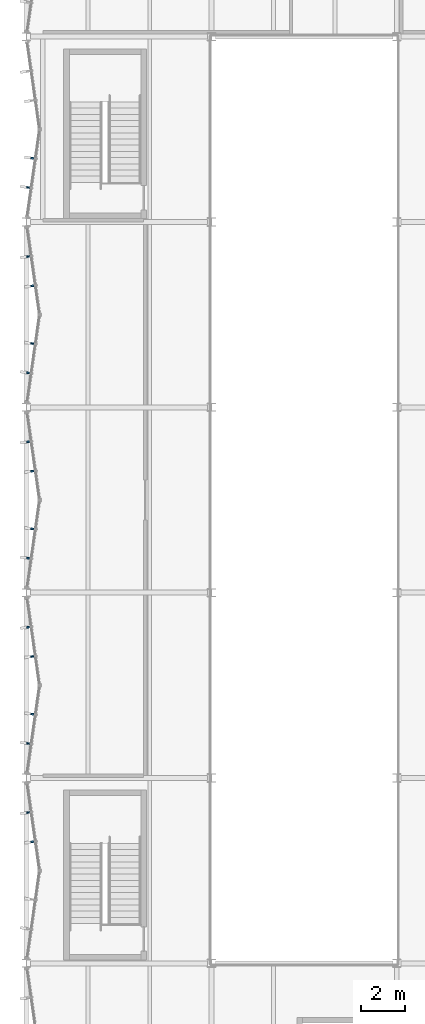
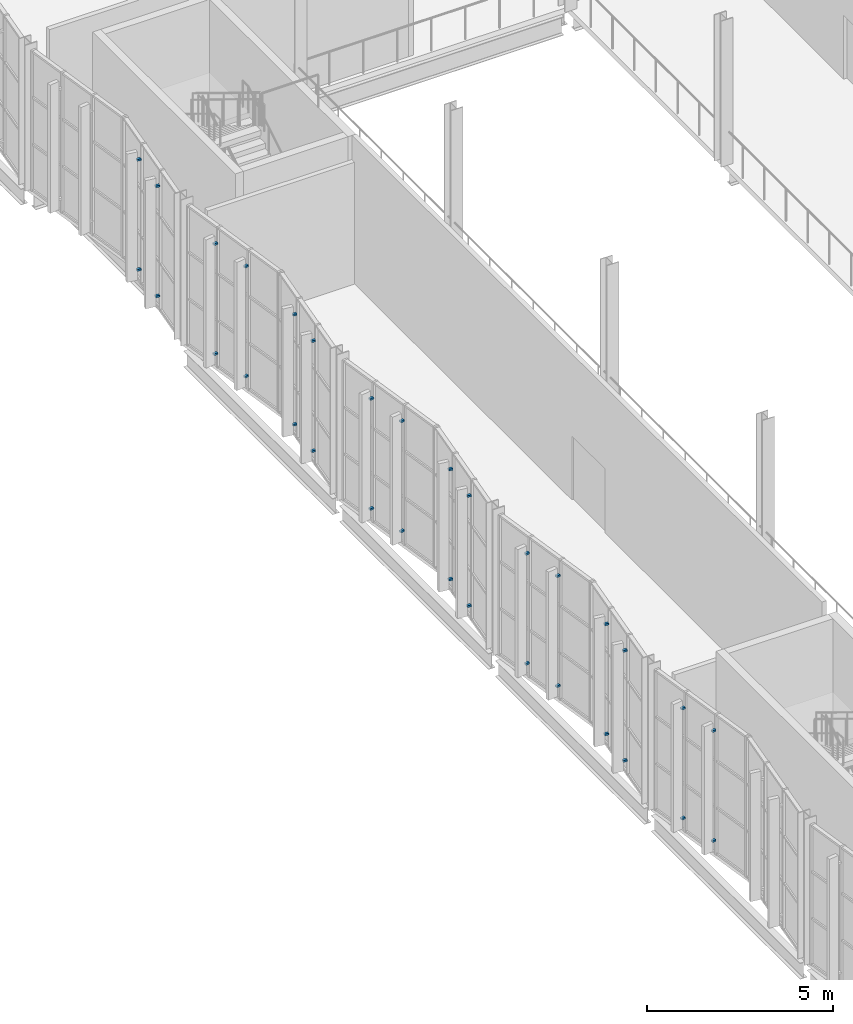
# One storey, part 96 of 127: 32 discrete accessories.
"""IFC4 building model written with IfcOpenShell, lengths in metres."""

from ifc_helpers import new_model, si_unit, direction, frame, origin, origin_2d, place, context, subcontext, project, spatial, rectangle, extrude, material, type_object, element, save


model = new_model("IFC4")

# Units and contexts
model_context = context("Model", 3, precision=1e-05, world=origin(), true_north=direction((0.0, 1.0)))
body_context = subcontext(model_context, "Body", "Model", "MODEL_VIEW")
ifc_project = project(units=[si_unit("LENGTHUNIT", "METRE"), si_unit("AREAUNIT", "SQUARE_METRE"), si_unit("VOLUMEUNIT", "CUBIC_METRE"), si_unit("PLANEANGLEUNIT", "RADIAN"), si_unit("MASSUNIT", "GRAM", prefix="KILO")], contexts=[model_context])

# Site, building, storey
site_placement = place(None, origin())
site = spatial("IfcSite", under=ifc_project, at=site_placement, CompositionType="ELEMENT")
building_placement = place(site_placement, origin())
building = spatial("IfcBuilding", under=site, at=building_placement, Name="Ljudholm Concert House", CompositionType="ELEMENT")
storey_placement = place(building_placement, frame((0.0, 0.0, 5.39990234375)))
storey = spatial("IfcBuildingStorey", under=building, at=storey_placement, Name="L01", CompositionType="ELEMENT", Elevation=5.39990234375)

# Discrete accessories
ifc_material = material(Name="Stainless steel bracket", Category="steel")
discrete_accessory_type = type_object("IfcDiscreteAccessoryType", Name="BRACKET 120", PredefinedType="BRACKET", material=ifc_material)
for number, where, z_axis, x_axis, name in (
    (1, (4.271728515625, 68.3076171875, 0.469970703125), (0.0, 0.0, 1.0), (-0.989949493662, -0.141421356235, 0.0), "Fin bracket"),
    (2, (4.271728515625, 68.3076171875, 4.090087890625), (0.0, 0.0, 1.0), (-0.989949493662, -0.141421356235, 0.0), "Fin bracket"),
    (3, (4.08203125, 69.635009765625, 0.469970703125), (0.0, 0.0, 1.0), (-0.989949493662, -0.141421356235, 0.0), "Fin bracket"),
    (4, (4.08203125, 69.635009765625, 4.090087890625), (0.0, 0.0, 1.0), (-0.989949493662, -0.141421356235, 0.0), "Fin bracket"),
    (5, (4.08203125, 72.764892578125, 0.469970703125), (0.0, 0.0, 1.0), (-0.989949493662, 0.141421356235, 0.0), "Fin bracket"),
    (6, (4.08203125, 72.764892578125, 4.090087890625), (0.0, 0.0, 1.0), (-0.989949493662, 0.141421356235, 0.0), "Fin bracket"),
    (7, (4.271728515625, 74.09228515625, 0.469970703125), (0.0, 0.0, 1.0), (-0.989949493662, 0.141421356235, 0.0), "Fin bracket"),
    (8, (4.271728515625, 74.09228515625, 4.090087890625), (0.0, 0.0, 1.0), (-0.989949493662, 0.141421356235, 0.0), "Fin bracket"),
    (9, (4.271728515625, 76.70751953125, 0.469970703125), (0.0, 0.0, 1.0), (-0.989949493662, -0.141421356235, 0.0), "Fin bracket"),
    (10, (4.271728515625, 76.70751953125, 4.090087890625), (0.0, 0.0, 1.0), (-0.989949493662, -0.141421356235, 0.0), "Fin bracket"),
    (11, (4.08203125, 78.034912109375, 0.469970703125), (0.0, 0.0, 1.0), (-0.989949493662, -0.141421356235, 0.0), "Fin bracket"),
    (12, (4.08203125, 78.034912109375, 4.090087890625), (0.0, 0.0, 1.0), (-0.989949493662, -0.141421356235, 0.0), "Fin bracket"),
    (13, (4.08203125, 81.1650390625, 0.469970703125), (0.0, 0.0, 1.0), (-0.989949493662, 0.141421356235, 0.0), "Fin bracket"),
    (14, (4.08203125, 81.1650390625, 4.090087890625), (0.0, 0.0, 1.0), (-0.989949493662, 0.141421356235, 0.0), "Fin bracket"),
    (15, (4.271728515625, 82.492431640625, 0.469970703125), (0.0, 0.0, 1.0), (-0.989949493662, 0.141421356235, 0.0), "Fin bracket"),
    (16, (4.271728515625, 82.492431640625, 4.090087890625), (0.0, 0.0, 1.0), (-0.989949493662, 0.141421356235, 0.0), "Fin bracket"),
    (17, (4.271728515625, 85.107666015625, 0.469970703125), (0.0, 0.0, 1.0), (-0.989949493662, -0.141421356235, 0.0), "Fin bracket"),
    (18, (4.271728515625, 85.107666015625, 4.090087890625), (0.0, 0.0, 1.0), (-0.989949493662, -0.141421356235, 0.0), "Fin bracket"),
    (19, (4.08203125, 86.43505859375, 0.469970703125), (0.0, 0.0, 1.0), (-0.989949493662, -0.141421356235, 0.0), "Fin bracket"),
    (20, (4.08203125, 86.43505859375, 4.090087890625), (0.0, 0.0, 1.0), (-0.989949493662, -0.141421356235, 0.0), "Fin bracket"),
    (21, (4.08203125, 89.56494140625, 0.469970703125), (0.0, 0.0, 1.0), (-0.989949493662, 0.141421356235, 0.0), "Fin bracket"),
    (22, (4.08203125, 89.56494140625, 4.090087890625), (0.0, 0.0, 1.0), (-0.989949493662, 0.141421356235, 0.0), "Fin bracket"),
    (23, (4.271728515625, 90.892333984375, 0.469970703125), (0.0, 0.0, 1.0), (-0.989949493662, 0.141421356235, 0.0), "Fin bracket"),
    (24, (4.271728515625, 90.892333984375, 4.090087890625), (0.0, 0.0, 1.0), (-0.989949493662, 0.141421356235, 0.0), "Fin bracket"),
    (25, (4.271728515625, 93.507568359375, 0.469970703125), (0.0, 0.0, 1.0), (-0.989949493662, -0.141421356235, 0.0), "Fin bracket"),
    (26, (4.271728515625, 93.507568359375, 4.090087890625), (0.0, 0.0, 1.0), (-0.989949493662, -0.141421356235, 0.0), "Fin bracket"),
    (27, (4.08203125, 94.8349609375, 0.469970703125), (0.0, 0.0, 1.0), (-0.989949493662, -0.141421356235, 0.0), "Fin bracket"),
    (28, (4.08203125, 94.8349609375, 4.090087890625), (0.0, 0.0, 1.0), (-0.989949493662, -0.141421356235, 0.0), "Fin bracket"),
    (29, (4.08203125, 97.965087890625, 0.469970703125), (0.0, 0.0, 1.0), (-0.989949493662, 0.141421356235, 0.0), "Fin bracket"),
    (30, (4.08203125, 97.965087890625, 4.090087890625), (0.0, 0.0, 1.0), (-0.989949493662, 0.141421356235, 0.0), "Fin bracket"),
    (31, (4.271728515625, 99.29248046875, 0.469970703125), (0.0, 0.0, 1.0), (-0.989949493662, 0.141421356235, 0.0), "Fin bracket"),
    (32, (4.271728515625, 99.29248046875, 4.090087890625), (0.0, 0.0, 1.0), (-0.989949493662, 0.141421356235, 0.0), "Fin bracket"),
):
    element("IfcDiscreteAccessory", number, at=place(storey_placement, frame(where, z_axis=z_axis, x_axis=x_axis)), inside=storey, type_object=discrete_accessory_type, Name=name, PredefinedType="BRACKET", context=body_context, shape_type="SweptSolid", body=[
        extrude(rectangle(XDim=0.1201171875, YDim=0.080078125, at=origin_2d()), origin(), (0.0, 0.0, 1.0), 0.06005859375),
    ])

save(model, "model.ifc")
